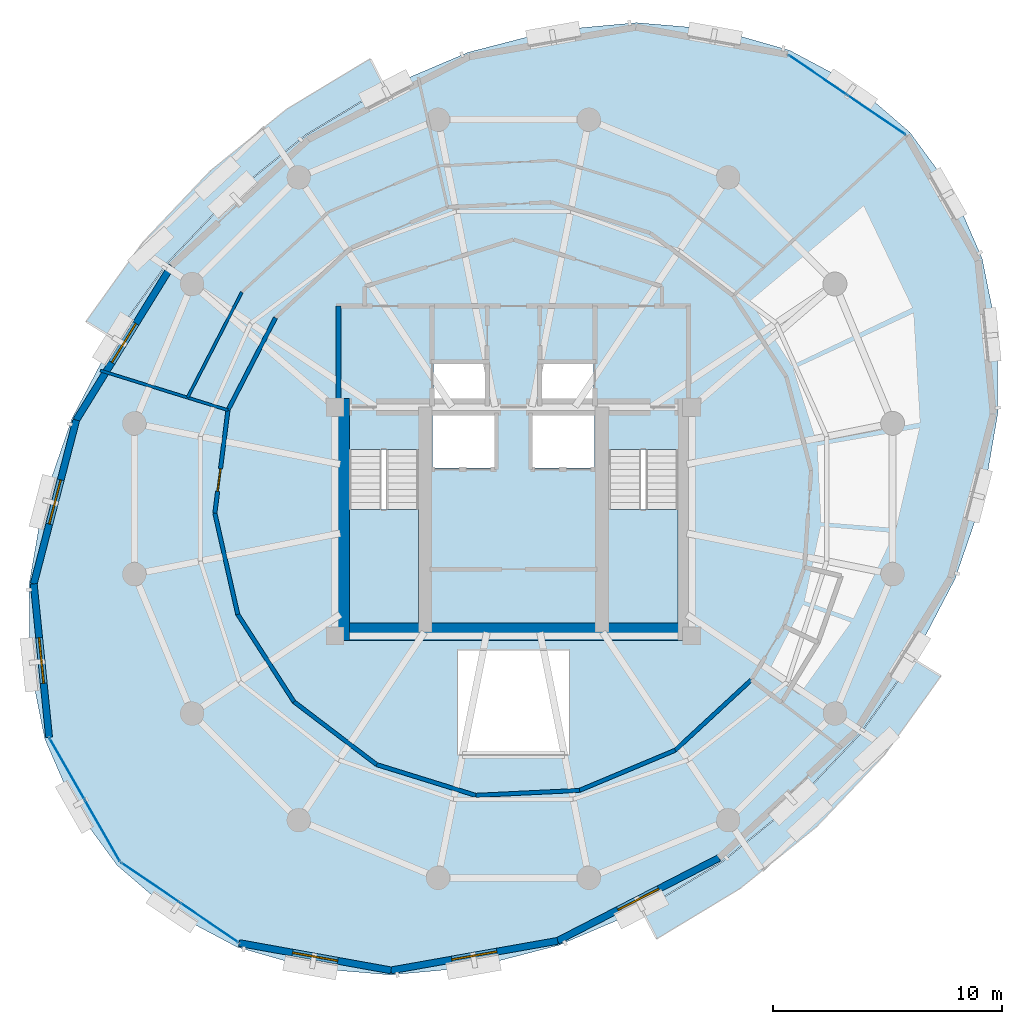
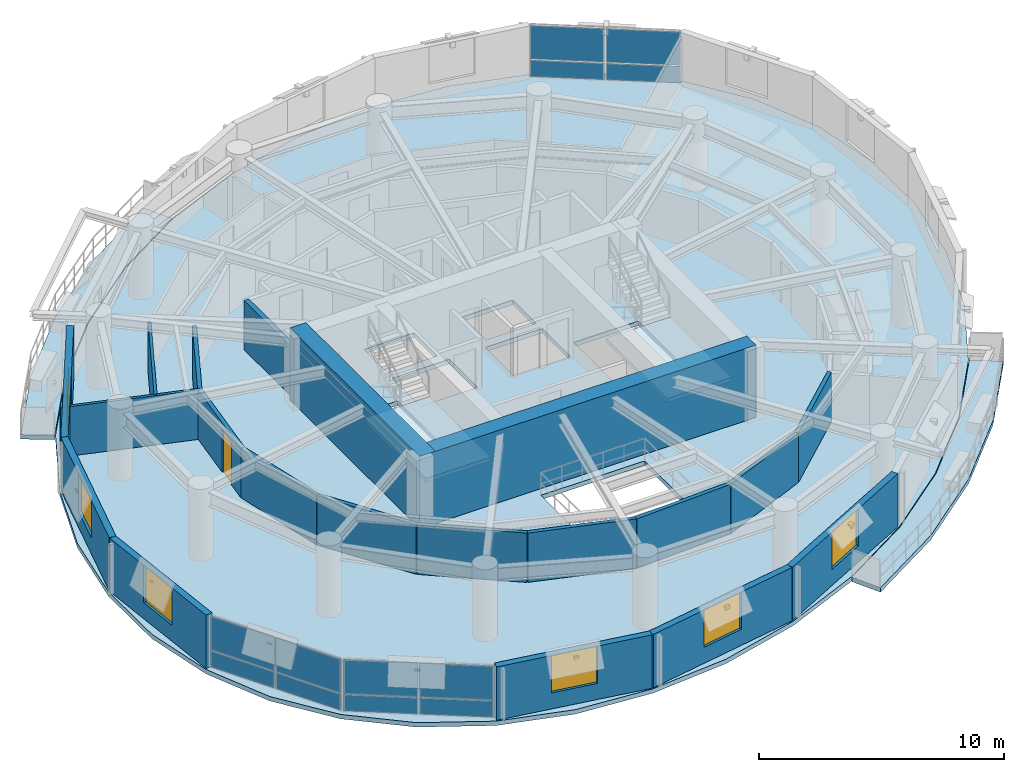
# One storey, part 7 of 12: 20 walls, 12 plates, 6 windows, 5 slabs, 1 door, 7 openings, 5 elements without a shape of their own.
"""IFC4 building model written with IfcOpenShell, lengths in metres."""

from ifc_helpers import new_model, si_unit, direction, frame, frame_2d, origin, origin_2d, place, context, subcontext, project, spatial, polyline, rectangle, outline, extrude, material, layer, layer_set, type_object, element, fill, aggregate, save


model = new_model("IFC4")

# Units and contexts
model_context = context("Model", 3, precision=1e-05, world=origin(), true_north=direction((0.0, 1.0)))
body_context = subcontext(model_context, "Body", "Model", "MODEL_VIEW")
ifc_project = project(units=[si_unit("LENGTHUNIT", "METRE"), si_unit("AREAUNIT", "SQUARE_METRE"), si_unit("VOLUMEUNIT", "CUBIC_METRE"), si_unit("PLANEANGLEUNIT", "RADIAN"), si_unit("MASSUNIT", "GRAM", prefix="KILO"), si_unit("THERMODYNAMICTEMPERATUREUNIT", "KELVIN"), si_unit("POWERUNIT", "WATT")], contexts=[model_context])

# Site, building, storey
site_placement = place(None, origin())
site = spatial("IfcSite", under=ifc_project, at=site_placement, CompositionType="ELEMENT")
building_placement = place(site_placement, origin())
building = spatial("IfcBuilding", under=site, at=building_placement, Name="Ocrelia Relay Tower", CompositionType="ELEMENT")
storey_placement = place(building_placement, frame((0.0, 0.0, 209.60009765625)))
storey = spatial("IfcBuildingStorey", under=building, at=storey_placement, Name="L51", CompositionType="ELEMENT", Elevation=209.60009765625)

# Curtain wall, plates
ifc_material_1 = material(Name="Aluminium and solar-control low-E glass", Category="aluminium")
ifc_layer_1 = layer(ifc_material_1, 0.179931640625, Name="Aluminium and solar-control low-E glass")
ifc_layer_set_1 = layer_set([ifc_layer_1], Name="Aluminium and solar-control low-E glass")
curtain_wall_type = type_object("IfcCurtainWallType", Name="CW-SYS-Z3-CLOU", PredefinedType="NOTDEFINED", material=ifc_layer_set_1)
curtain_wall_1_placement = place(storey_placement, origin())
curtain_wall_1 = element("IfcCurtainWall", 1, at=curtain_wall_1_placement, inside=storey, type_object=curtain_wall_type, Name="L51 Elliptical Tower Curtain Wall Bay 01", PredefinedType="NOTDEFINED")
ifc_material_2 = material(Name="Clear double-glazed low-E glass", Category="glass")
ifc_layer_2 = layer(ifc_material_2, 0.031982421875, Name="Clear double-glazed low-E glass")
ifc_layer_set_2 = layer_set([ifc_layer_2], Name="Clear double-glazed low-E glass")
plate_type = type_object("IfcPlateType", Name="CW-SYS-Z3-CLOU-PNL", PredefinedType="CURTAIN_PANEL", material=ifc_layer_set_2)
plate_1_placement = place(storey_placement, frame((49.87158203125, 42.777587890625, 0.059814453125), z_axis=(0.0, 0.0, 1.0), x_axis=(-0.826390290705, 0.563097760098, 0.0)))
plate_1 = element("IfcPlate", 2, at=plate_1_placement, type_object=plate_type, Name="CW-Z3 panel 1.1", PredefinedType="CURTAIN_PANEL", context=body_context, shape_type="SweptSolid", body=[
    extrude(rectangle(XDim=3.0439453125, YDim=0.031982421875, at=origin_2d()), origin(), (0.0, 0.0, 1.0), 0.81005859375),
])
plate_2_placement = place(storey_placement, frame((49.87158203125, 42.777587890625, 0.929931640625), z_axis=(0.0, 0.0, 1.0), x_axis=(-0.826390290705, 0.563097760098, 0.0)))
plate_2 = element("IfcPlate", 3, at=plate_2_placement, type_object=plate_type, Name="CW-Z3 panel 1.2", PredefinedType="CURTAIN_PANEL", context=body_context, shape_type="SweptSolid", body=[
    extrude(rectangle(XDim=3.0439453125, YDim=0.031982421875, at=origin_2d()), origin(), (0.0, 0.0, 1.0), 1.669921875),
])
plate_3_placement = place(storey_placement, frame((47.302490234375, 44.528076171875, 0.059814453125), z_axis=(0.0, 0.0, 1.0), x_axis=(-0.826390290705, 0.563097760098, 0.0)))
plate_3 = element("IfcPlate", 4, at=plate_3_placement, type_object=plate_type, Name="CW-Z3 panel 2.1", PredefinedType="CURTAIN_PANEL", context=body_context, shape_type="SweptSolid", body=[
    extrude(rectangle(XDim=3.0439453125, YDim=0.031982421875, at=origin_2d()), origin(), (0.0, 0.0, 1.0), 0.81005859375),
])
plate_4_placement = place(storey_placement, frame((47.302490234375, 44.528076171875, 0.929931640625), z_axis=(0.0, 0.0, 1.0), x_axis=(-0.826390290705, 0.563097760098, 0.0)))
plate_4 = element("IfcPlate", 5, at=plate_4_placement, type_object=plate_type, Name="CW-Z3 panel 2.2", PredefinedType="CURTAIN_PANEL", context=body_context, shape_type="SweptSolid", body=[
    extrude(rectangle(XDim=3.0439453125, YDim=0.031982421875, at=origin_2d()), origin(), (0.0, 0.0, 1.0), 1.669921875),
])
aggregate(curtain_wall_1, [plate_1, plate_2, plate_3, plate_4])

curtain_wall_2_placement = place(storey_placement, origin())
curtain_wall_2 = element("IfcCurtainWall", 6, at=curtain_wall_2_placement, inside=storey, type_object=curtain_wall_type, Name="L51 Elliptical Tower Curtain Wall Bay 09", PredefinedType="NOTDEFINED")
plate_5_placement = place(storey_placement, frame((14.4853515625, 14.192138671875, 0.059814453125), z_axis=(0.0, 0.0, 1.0), x_axis=(0.496524565709, -0.868022670008, 0.0)))
plate_5 = element("IfcPlate", 7, at=plate_5_placement, type_object=plate_type, Name="CW-Z3 panel 1.1", PredefinedType="CURTAIN_PANEL", context=body_context, shape_type="SweptSolid", body=[
    extrude(rectangle(XDim=3.0439453125, YDim=0.031982421875, at=origin_2d()), origin(), (0.0, 0.0, 1.0), 0.81005859375),
])
plate_6_placement = place(storey_placement, frame((14.4853515625, 14.192138671875, 0.929931640625), z_axis=(0.0, 0.0, 1.0), x_axis=(0.496524565709, -0.868022670008, 0.0)))
plate_6 = element("IfcPlate", 8, at=plate_6_placement, type_object=plate_type, Name="CW-Z3 panel 1.2", PredefinedType="CURTAIN_PANEL", context=body_context, shape_type="SweptSolid", body=[
    extrude(rectangle(XDim=3.0439453125, YDim=0.031982421875, at=origin_2d()), origin(), (0.0, 0.0, 1.0), 1.669921875),
])
plate_7_placement = place(storey_placement, frame((16.029052734375, 11.49365234375, 0.059814453125), z_axis=(0.0, 0.0, 1.0), x_axis=(0.496524565709, -0.868022670008, 0.0)))
plate_7 = element("IfcPlate", 9, at=plate_7_placement, type_object=plate_type, Name="CW-Z3 panel 2.1", PredefinedType="CURTAIN_PANEL", context=body_context, shape_type="SweptSolid", body=[
    extrude(rectangle(XDim=3.0439453125, YDim=0.031982421875, at=origin_2d()), origin(), (0.0, 0.0, 1.0), 0.81005859375),
])
plate_8_placement = place(storey_placement, frame((16.029052734375, 11.49365234375, 0.929931640625), z_axis=(0.0, 0.0, 1.0), x_axis=(0.496524565709, -0.868022670008, 0.0)))
plate_8 = element("IfcPlate", 10, at=plate_8_placement, type_object=plate_type, Name="CW-Z3 panel 2.2", PredefinedType="CURTAIN_PANEL", context=body_context, shape_type="SweptSolid", body=[
    extrude(rectangle(XDim=3.0439453125, YDim=0.031982421875, at=origin_2d()), origin(), (0.0, 0.0, 1.0), 1.669921875),
])
aggregate(curtain_wall_2, [plate_5, plate_6, plate_7, plate_8])

curtain_wall_3_placement = place(storey_placement, origin())
curtain_wall_3 = element("IfcCurtainWall", 11, at=curtain_wall_3_placement, inside=storey, type_object=curtain_wall_type, Name="L51 Elliptical Tower Curtain Wall Bay 10", PredefinedType="NOTDEFINED")
plate_9_placement = place(storey_placement, frame((18.12841796875, 9.222412109375, 0.059814453125), z_axis=(0.0, 0.0, 1.0), x_axis=(0.826390290705, -0.563097760098, 0.0)))
plate_9 = element("IfcPlate", 12, at=plate_9_placement, type_object=plate_type, Name="CW-Z3 panel 1.1", PredefinedType="CURTAIN_PANEL", context=body_context, shape_type="SweptSolid", body=[
    extrude(rectangle(XDim=3.0439453125, YDim=0.031982421875, at=origin_2d()), origin(), (0.0, 0.0, 1.0), 0.81005859375),
])
plate_10_placement = place(storey_placement, frame((18.12841796875, 9.222412109375, 0.929931640625), z_axis=(0.0, 0.0, 1.0), x_axis=(0.826390290705, -0.563097760098, 0.0)))
plate_10 = element("IfcPlate", 13, at=plate_10_placement, type_object=plate_type, Name="CW-Z3 panel 1.2", PredefinedType="CURTAIN_PANEL", context=body_context, shape_type="SweptSolid", body=[
    extrude(rectangle(XDim=3.0439453125, YDim=0.031982421875, at=origin_2d()), origin(), (0.0, 0.0, 1.0), 1.669921875),
])
plate_11_placement = place(storey_placement, frame((20.697509765625, 7.471923828125, 0.059814453125), z_axis=(0.0, 0.0, 1.0), x_axis=(0.826390290705, -0.563097760098, 0.0)))
plate_11 = element("IfcPlate", 14, at=plate_11_placement, type_object=plate_type, Name="CW-Z3 panel 2.1", PredefinedType="CURTAIN_PANEL", context=body_context, shape_type="SweptSolid", body=[
    extrude(rectangle(XDim=3.0439453125, YDim=0.031982421875, at=origin_2d()), origin(), (0.0, 0.0, 1.0), 0.81005859375),
])
plate_12_placement = place(storey_placement, frame((20.697509765625, 7.471923828125, 0.929931640625), z_axis=(0.0, 0.0, 1.0), x_axis=(0.826390290705, -0.563097760098, 0.0)))
plate_12 = element("IfcPlate", 15, at=plate_12_placement, type_object=plate_type, Name="CW-Z3 panel 2.2", PredefinedType="CURTAIN_PANEL", context=body_context, shape_type="SweptSolid", body=[
    extrude(rectangle(XDim=3.0439453125, YDim=0.031982421875, at=origin_2d()), origin(), (0.0, 0.0, 1.0), 1.669921875),
])
aggregate(curtain_wall_3, [plate_9, plate_10, plate_11, plate_12])

# Slabs
ifc_material_3 = material(Name="Precast concrete C40/50", Category="concrete")
ifc_layer_3 = layer(ifc_material_3, 0.219970703125, Name="Precast concrete C40/50")
ifc_layer_set_3 = layer_set([ifc_layer_3], Name="Precast concrete C40/50")
slab_type_1 = type_object("IfcSlabType", Name="SL-BALC-220", PredefinedType="FLOOR", material=ifc_layer_set_3)
slab_1_placement = place(storey_placement, frame((0.0, 0.0, -0.22021484375)))
element("IfcSlab", 16, at=slab_1_placement, inside=storey, type_object=slab_type_1, Name="L51 Planted Loggia Balcony B1", PredefinedType="FLOOR", context=body_context, shape_type="SweptSolid", body=[
    extrude(outline(polyline([(28.3681640625, 43.99560546875), (26.63037109375, 42.945556640625), (24.892333984375, 41.895751953125), (21.693359375, 39.313232421875), (18.867919921875, 36.32666015625), (17.684814453125, 34.676513671875), (16.501708984375, 33.0263671875), (15.31494140625, 33.756591796875), (16.55419921875, 35.48486328125), (17.793212890625, 37.21337890625), (20.74755859375, 40.336181640625), (24.093017578125, 43.03662109375), (25.9130859375, 44.13623046875), (27.7333984375, 45.23583984375), (28.3681640625, 43.99560546875)])), origin(), (0.0, 0.0, 1.0), 0.22021484375),
])
slab_2_placement = place(storey_placement, frame((0.0, 0.0, -0.22021484375)))
element("IfcSlab", 17, at=slab_2_placement, inside=storey, type_object=slab_type_1, Name="L51 Planted Loggia Balcony B2", PredefinedType="FLOOR", context=body_context, shape_type="SweptSolid", body=[
    extrude(outline(polyline([(39.6318359375, 8.00439453125), (41.36962890625, 9.054443359375), (43.107666015625, 10.104248046875), (46.306640625, 12.686767578125), (49.132080078125, 15.67333984375), (50.315185546875, 17.323486328125), (51.498291015625, 18.9736328125), (52.68505859375, 18.243408203125), (51.44580078125, 16.51513671875), (50.206787109375, 14.78662109375), (47.25244140625, 11.663818359375), (43.906982421875, 8.96337890625), (42.0869140625, 7.86376953125), (40.2666015625, 6.76416015625), (39.6318359375, 8.00439453125)])), origin(), (0.0, 0.0, 1.0), 0.22021484375),
])
ifc_material_4 = material(Name="Concrete C50/60", Category="concrete")
ifc_layer_4 = layer(ifc_material_4, 0.219970703125, Name="Concrete C50/60")
ifc_layer_set_4 = layer_set([ifc_layer_4], Name="Concrete C50/60")
slab_type_2 = type_object("IfcSlabType", Name="SL-FLR-220", PredefinedType="FLOOR", material=ifc_layer_set_4)
slab_3_placement = place(storey_placement, frame((0.0, 0.0, -0.22021484375)))
element("IfcSlab", 18, at=slab_3_placement, inside=storey, type_object=slab_type_2, Name="L51 Elliptical Tower Floor Slab", PredefinedType="FLOOR", context=body_context, shape_type="SweptSolid", body=[
    extrude(outline(polyline([(51.330078125, 42.019775390625), (48.93310546875, 44.084228515625), (46.082763671875, 45.599609375), (42.864990234375, 46.51904296875), (39.378173828125, 46.815185546875), (35.727783203125, 46.47900390625), (32.02490234375, 45.5205078125), (28.3818359375, 43.96875), (24.90966796875, 41.87109375), (21.713623046875, 39.291259765625), (18.89111328125, 36.3076171875), (16.52734375, 33.010498046875), (14.69482421875, 29.500732421875), (13.448486328125, 25.884521484375), (12.826904296875, 22.271484375), (12.8486328125, 18.772216796875), (13.512939453125, 15.4921875), (14.7998046875, 12.53173828125), (16.669921875, 9.980224609375), (19.06689453125, 7.915771484375), (21.917236328125, 6.400390625), (25.135009765625, 5.48095703125), (28.621826171875, 5.184814453125), (32.272216796875, 5.52099609375), (35.97509765625, 6.4794921875), (39.6181640625, 8.03125), (43.09033203125, 10.12890625), (46.286376953125, 12.708740234375), (49.10888671875, 15.6923828125), (51.47265625, 18.989501953125), (53.30517578125, 22.499267578125), (54.551513671875, 26.115478515625), (55.173095703125, 29.728515625), (55.1513671875, 33.227783203125), (54.487060546875, 36.5078125), (53.2001953125, 39.46826171875), (51.330078125, 42.019775390625)]), holes=[polyline([(26.81005859375, 28.14990234375), (26.81005859375, 20.550048828125), (29.85009765625, 20.550048828125), (29.85009765625, 28.14990234375), (26.81005859375, 28.14990234375)]), polyline([(38.159912109375, 28.14990234375), (38.159912109375, 20.550048828125), (41.199951171875, 20.550048828125), (41.199951171875, 28.14990234375), (38.159912109375, 28.14990234375)]), polyline([(30.4599609375, 27.35009765625), (33.159912109375, 27.35009765625), (33.159912109375, 29.64990234375), (30.4599609375, 29.64990234375), (30.4599609375, 27.35009765625)]), polyline([(34.840087890625, 27.35009765625), (37.5400390625, 27.35009765625), (37.5400390625, 29.64990234375), (34.840087890625, 29.64990234375), (34.840087890625, 27.35009765625)]), polyline([(30.5, 30.10009765625), (32.85009765625, 30.10009765625), (32.85009765625, 32.0), (30.5, 32.0), (30.5, 30.10009765625)]), polyline([(35.14990234375, 30.10009765625), (37.5, 30.10009765625), (37.5, 32.0), (35.14990234375, 32.0), (35.14990234375, 30.10009765625)]), polyline([(31.550048828125, 14.800048828125), (36.449951171875, 14.800048828125), (36.449951171875, 19.39990234375), (31.550048828125, 19.39990234375), (31.550048828125, 14.800048828125)])]), origin(), (0.0, 0.0, 1.0), 0.22021484375),
])

# Stair, slab
stair_type = type_object("IfcStairType", Name="ST-DL-1420-R180", PredefinedType="HALF_TURN_STAIR", material=ifc_material_4)
stair_1_placement = place(storey_placement, origin())
stair_1 = element("IfcStair", 19, at=stair_1_placement, inside=storey, type_object=stair_type, Name="L51 West Core Exit Stair ST1", PredefinedType="HALF_TURN_STAIR")
ifc_layer_5 = layer(ifc_material_4, 0.199951171875, Name="Concrete C50/60")
ifc_layer_set_5 = layer_set([ifc_layer_5], Name="Concrete C50/60")
slab_type_3 = type_object("IfcSlabType", Name="SL-LANDING-200", PredefinedType="LANDING", material=ifc_layer_set_5)
slab_4_placement = place(storey_placement, frame((0.0, 0.0, 1.599853515625)))
slab_4 = element("IfcSlab", 20, at=slab_4_placement, type_object=slab_type_3, Name="ST1 landing 1", PredefinedType="LANDING", context=body_context, shape_type="SweptSolid", body=[
    extrude(outline(polyline([(26.81005859375, 25.5400390625), (26.81005859375, 20.550048828125), (29.85009765625, 20.550048828125), (29.85009765625, 25.5400390625), (26.81005859375, 25.5400390625)])), origin(), (0.0, 0.0, 1.0), 0.199951171875),
])
aggregate(stair_1, [slab_4])

stair_2_placement = place(storey_placement, origin())
stair_2 = element("IfcStair", 21, at=stair_2_placement, inside=storey, type_object=stair_type, Name="L51 East Core Exit Stair ST2", PredefinedType="HALF_TURN_STAIR")
slab_5_placement = place(storey_placement, frame((0.0, 0.0, 1.599853515625)))
slab_5 = element("IfcSlab", 22, at=slab_5_placement, type_object=slab_type_3, Name="ST2 landing 1", PredefinedType="LANDING", context=body_context, shape_type="SweptSolid", body=[
    extrude(outline(polyline([(38.159912109375, 25.5400390625), (38.159912109375, 20.550048828125), (41.199951171875, 20.550048828125), (41.199951171875, 25.5400390625), (38.159912109375, 25.5400390625)])), origin(), (0.0, 0.0, 1.0), 0.199951171875),
])
aggregate(stair_2, [slab_5])

# Walls
ifc_material_5 = material(Name="Concrete C60/75", Category="concrete")
ifc_layer_6 = layer(ifc_material_5, 0.75, Name="Concrete C60/75")
ifc_layer_set_6 = layer_set([ifc_layer_6], Name="Concrete C60/75")
wall_type_1 = type_object("IfcWallType", Name="CW-CORE-750", PredefinedType="SHEAR", material=ifc_layer_set_6)
wall_1_placement = place(storey_placement, frame((26.072021484375, 20.18701171875, 0.0), z_axis=(0.0, 0.0, 1.0), x_axis=(1.0, 0.0, 0.0)))
element("IfcWall", 23, at=wall_1_placement, inside=storey, type_object=wall_type_1, Name="L51 Core Shear Wall S", PredefinedType="SHEAR", context=body_context, shape_type="SweptSolid", body=[
    extrude(rectangle(XDim=15.865966796875, YDim=0.75, at=frame_2d((7.93310546875, 0.0))), origin(), (0.0, 0.0, 1.0), 3.599853515625),
])
wall_2_placement = place(storey_placement, frame((26.447021484375, 19.81201171875, 0.0), z_axis=(0.0, 0.0, 1.0), x_axis=(0.0, 1.0, 0.0)))
element("IfcWall", 24, at=wall_2_placement, inside=storey, type_object=wall_type_1, Name="L51 Core Shear Wall W", PredefinedType="SHEAR", context=body_context, shape_type="SweptSolid", body=[
    extrude(rectangle(XDim=10.575927734375, YDim=0.75, at=frame_2d((5.2880859375, 0.0))), origin(), (0.0, 0.0, 1.0), 3.599853515625),
])
ifc_material_6 = material(Name="Gypsum Fireboard Partition EI60", Category="gypsum")
ifc_layer_7 = layer(ifc_material_6, 0.179931640625, Name="Gypsum Fireboard Partition EI60")
ifc_layer_set_7 = layer_set([ifc_layer_7], Name="Gypsum Fireboard Partition EI60")
wall_type_2 = type_object("IfcWallType", Name="W-CORR-EI60-180", PredefinedType="PARTITIONING", material=ifc_layer_set_7)
wall_3_placement = place(storey_placement, frame((23.59619140625, 33.9111328125, 0.0), z_axis=(0.0, 0.0, 1.0), x_axis=(-0.45787415336, -0.889017018782, 0.0)))
element("IfcWall", 25, at=wall_3_placement, inside=storey, type_object=wall_type_2, Name="L51 Client Arrival Foyer Corridor Partition 3", PredefinedType="PARTITIONING", context=body_context, shape_type="SweptSolid", body=[
    extrude(rectangle(XDim=4.5390625, YDim=0.179931640625, at=frame_2d((2.26953125, 0.0))), origin(), (0.0, 0.0, 1.0), 2.4599609375),
])

# Wall, opening, door
wall_4_placement = place(storey_placement, frame((21.517822265625, 29.875732421875, 0.0), z_axis=(0.0, 0.0, 1.0), x_axis=(-0.126179218501, -0.992007462078, 0.0)))
wall_4 = element("IfcWall", 26, at=wall_4_placement, inside=storey, type_object=wall_type_2, Name="L51 Partner Welcome Foyer Corridor Partition 1", PredefinedType="PARTITIONING", context=body_context, shape_type="SweptSolid", body=[
    extrude(rectangle(XDim=4.539306640625, YDim=0.179931640625, at=frame_2d((2.26953125, 0.0))), origin(), (0.0, 0.0, 1.0), 2.4599609375),
])
opening_1_placement = place(wall_4_placement, frame((2.579345703125, 0.0, 0.0)))
opening_1 = element("IfcOpeningElement", 27, at=opening_1_placement, cuts=wall_4, Name="Opening D-RM100", PredefinedType="OPENING", context=body_context, shape_type="SweptSolid", body=[
    extrude(rectangle(XDim=1.0, YDim=2.14990234375, at=frame_2d((0.5, 1.074951171875))), frame((0.0, 0.10009765625, 0.0), z_axis=(0.0, -1.0, 0.0), x_axis=(1.0, 0.0, 0.0)), (0.0, 0.0, 1.0), 0.199951171875),
])
ifc_material_7 = material(Name="Acoustic oak veneer fire door", Category="wood")
door_type = type_object("IfcDoorType", Name="DR-ROOM-FD60-1000", OperationType="NOTDEFINED", PredefinedType="DOOR", material=ifc_material_7)
door_placement = place(opening_1_placement, origin())
door = element("IfcDoor", 28, at=door_placement, inside=storey, type_object=door_type, Name="L51 Partner Welcome Foyer Entrance Door", OperationType="SINGLE_SWING_LEFT", OverallHeight=2.14990234375, OverallWidth=1.0, PredefinedType="DOOR", context=body_context, shape_type="SweptSolid", body=[
    extrude(rectangle(XDim=1.0, YDim=2.14990234375, at=frame_2d((0.5, 1.074951171875))), frame((0.0, 0.02490234375, 0.0), z_axis=(0.0, -1.0, 0.0), x_axis=(1.0, 0.0, 0.0)), (0.0, 0.0, 1.0), 0.050048828125),
])
fill(opening_1, door)

# Walls
wall_5_placement = place(storey_placement, frame((20.945068359375, 25.372802734375, 0.0), z_axis=(0.0, 0.0, 1.0), x_axis=(0.220693392917, -0.975343235135, 0.0)))
element("IfcWall", 29, at=wall_5_placement, inside=storey, type_object=wall_type_2, Name="L51 Partner Welcome Foyer Corridor Partition 2", PredefinedType="PARTITIONING", context=body_context, shape_type="SweptSolid", body=[
    extrude(rectangle(XDim=4.538818359375, YDim=0.179931640625, at=frame_2d((2.26953125, 0.0))), origin(), (0.0, 0.0, 1.0), 2.4599609375),
])
wall_6_placement = place(storey_placement, frame((21.94677734375, 20.94580078125, 0.0), z_axis=(0.0, 0.0, 1.0), x_axis=(0.540972326462, -0.841040392611, 0.0)))
element("IfcWall", 30, at=wall_6_placement, inside=storey, type_object=wall_type_2, Name="L51 Partner Welcome Foyer Corridor Partition 3", PredefinedType="PARTITIONING", context=body_context, shape_type="SweptSolid", body=[
    extrude(rectangle(XDim=4.5390625, YDim=0.179931640625, at=frame_2d((2.26953125, 0.0))), origin(), (0.0, 0.0, 1.0), 2.4599609375),
])
wall_7_placement = place(storey_placement, frame((24.40234375, 17.128173828125, 0.0), z_axis=(0.0, 0.0, 1.0), x_axis=(0.796006706309, -0.605287802216, 0.0)))
element("IfcWall", 31, at=wall_7_placement, inside=storey, type_object=wall_type_2, Name="L51 Partner Welcome Foyer Corridor Partition 4", PredefinedType="PARTITIONING", context=body_context, shape_type="SweptSolid", body=[
    extrude(rectangle(XDim=4.539306640625, YDim=0.179931640625, at=frame_2d((2.26953125, 0.0))), origin(), (0.0, 0.0, 1.0), 2.4599609375),
])
for number, where, z_axis, x_axis, name in (
    (32, (28.015625, 14.380615234375, 0.0), (0.0, 0.0, 1.0), (0.955010569333, -0.296571766124, 0.0), "L51 Partner Welcome Foyer Corridor Partition 5"),
    (33, (32.3505859375, 13.034423828125, 0.0), (0.0, 0.0, 1.0), (0.998848461484, 0.047976567102, 0.0), "L51 Partner Welcome Foyer Corridor Partition 6"),
):
    element("IfcWall", number, at=place(storey_placement, frame(where, z_axis=z_axis, x_axis=x_axis)), inside=storey, type_object=wall_type_2, Name=name, PredefinedType="PARTITIONING", context=body_context, shape_type="SweptSolid", body=[
        extrude(rectangle(XDim=4.5390625, YDim=0.179931640625, at=frame_2d((2.26953125, 0.0))), origin(), (0.0, 0.0, 1.0), 2.4599609375),
    ])
for number, where, z_axis, x_axis, name in (
    (34, (36.884521484375, 13.252197265625, 0.0), (0.0, 0.0, 1.0), (0.922199331886, 0.386714872055, 0.0), "L51 Partner Welcome Foyer Corridor Partition 7"),
    (35, (41.070556640625, 15.007568359375, 0.0), (0.0, 0.0, 1.0), (0.734314557322, 0.67880934798, 0.0), "L51 Partner Welcome Foyer Corridor Partition 8"),
):
    element("IfcWall", number, at=place(storey_placement, frame(where, z_axis=z_axis, x_axis=x_axis)), inside=storey, type_object=wall_type_2, Name=name, PredefinedType="PARTITIONING", context=body_context, shape_type="SweptSolid", body=[
        extrude(rectangle(XDim=4.539306640625, YDim=0.179931640625, at=frame_2d((2.26953125, 0.0))), origin(), (0.0, 0.0, 1.0), 2.4599609375),
    ])

# Wall, opening, window
ifc_material_8 = material(Name="Precast concrete C40/50 with oxide terracotta", Category="masonry")
ifc_layer_8 = layer(ifc_material_8, 0.300048828125, Name="Precast concrete C40/50 with oxide terracotta")
ifc_layer_set_8 = layer_set([ifc_layer_8], Name="Precast concrete C40/50 with oxide terracotta")
wall_type_3 = type_object("IfcWallType", Name="W-EXT-TERR-300", PredefinedType="SOLIDWALL", material=ifc_layer_set_8)
wall_8_placement = place(storey_placement, frame((19.05029296875, 36.1865234375, 0.0), z_axis=(0.0, 0.0, 1.0), x_axis=(-0.525351245348, -0.850885461746, 0.0)))
wall_8 = element("IfcWall", 36, at=wall_8_placement, inside=storey, type_object=wall_type_3, Name="L51 Oxide Terracotta Facade Wall 06", PredefinedType="SOLIDWALL", context=body_context, shape_type="SweptSolid", body=[
    extrude(rectangle(XDim=7.92724609375, YDim=0.300048828125, at=frame_2d((3.963623046875, 0.0))), origin(), (0.0, 0.0, 1.0), 2.659912109375),
])
opening_2_placement = place(wall_8_placement, frame((2.964111328125, 0.0, 0.800048828125)))
opening_2 = element("IfcOpeningElement", 37, at=opening_2_placement, cuts=wall_8, Name="Opening W-03", PredefinedType="OPENING", context=body_context, shape_type="SweptSolid", body=[
    extrude(rectangle(XDim=2.0, YDim=1.85009765625, at=frame_2d((1.0, 0.925048828125))), frame((0.0, 0.16015625, 0.0), z_axis=(0.0, -1.0, 0.0), x_axis=(1.0, 0.0, 0.0)), (0.0, 0.0, 1.0), 0.320068359375),
])
window_type = type_object("IfcWindowType", Name="WIN-Z3-2000x2200", PartitioningType="DOUBLE_PANEL_VERTICAL", PredefinedType="WINDOW", material=ifc_material_2)
window_1_placement = place(opening_2_placement, origin())
window_1 = element("IfcWindow", 38, at=window_1_placement, inside=storey, type_object=window_type, Name="L51 Facade Module Window 06", OverallHeight=1.85009765625, OverallWidth=2.0, PartitioningType="SINGLE_PANEL", PredefinedType="WINDOW", context=body_context, shape_type="SweptSolid", body=[
    extrude(rectangle(XDim=2.0, YDim=1.85009765625, at=frame_2d((1.0, 0.925048828125))), frame((0.0, 0.030029296875, 0.0), z_axis=(0.0, -1.0, 0.0), x_axis=(1.0, 0.0, 0.0)), (0.0, 0.0, 1.0), 0.06005859375),
])
fill(opening_2, window_1)

wall_9_placement = place(storey_placement, frame((14.8857421875, 29.44140625, 0.0), z_axis=(0.0, 0.0, 1.0), x_axis=(-0.251316052119, -0.967905078996, 0.0)))
wall_9 = element("IfcWall", 39, at=wall_9_placement, inside=storey, type_object=wall_type_3, Name="L51 Oxide Terracotta Facade Wall 07", PredefinedType="SOLIDWALL", context=body_context, shape_type="SweptSolid", body=[
    extrude(rectangle(XDim=7.3974609375, YDim=0.300048828125, at=frame_2d((3.69873046875, 0.0))), origin(), (0.0, 0.0, 1.0), 2.659912109375),
])
opening_3_placement = place(wall_9_placement, frame((2.698974609375, 0.0, 0.800048828125)))
opening_3 = element("IfcOpeningElement", 40, at=opening_3_placement, cuts=wall_9, Name="Opening W-03", PredefinedType="OPENING", context=body_context, shape_type="SweptSolid", body=[
    extrude(rectangle(XDim=2.0, YDim=1.85009765625, at=frame_2d((1.0, 0.925048828125))), frame((0.0, 0.16015625, 0.0), z_axis=(0.0, -1.0, 0.0), x_axis=(1.0, 0.0, 0.0)), (0.0, 0.0, 1.0), 0.320068359375),
])
window_2_placement = place(opening_3_placement, origin())
window_2 = element("IfcWindow", 41, at=window_2_placement, inside=storey, type_object=window_type, Name="L51 Facade Module Window 07", OverallHeight=1.85009765625, OverallWidth=2.0, PartitioningType="SINGLE_PANEL", PredefinedType="WINDOW", context=body_context, shape_type="SweptSolid", body=[
    extrude(rectangle(XDim=2.0, YDim=1.85009765625, at=frame_2d((1.0, 0.925048828125))), frame((0.0, 0.030029296875, 0.0), z_axis=(0.0, -1.0, 0.0), x_axis=(1.0, 0.0, 0.0)), (0.0, 0.0, 1.0), 0.06005859375),
])
fill(opening_3, window_2)

wall_10_placement = place(storey_placement, frame((13.026611328125, 22.28125, 0.0), z_axis=(0.0, 0.0, 1.0), x_axis=(0.099464298472, -0.995041131476, 0.0)))
wall_10 = element("IfcWall", 42, at=wall_10_placement, inside=storey, type_object=wall_type_3, Name="L51 Oxide Terracotta Facade Wall 08", PredefinedType="SOLIDWALL", context=body_context, shape_type="SweptSolid", body=[
    extrude(rectangle(XDim=6.7451171875, YDim=0.300048828125, at=frame_2d((3.37255859375, 0.0))), origin(), (0.0, 0.0, 1.0), 2.659912109375),
])
opening_4_placement = place(wall_10_placement, frame((2.373046875, 0.0, 0.800048828125)))
opening_4 = element("IfcOpeningElement", 43, at=opening_4_placement, cuts=wall_10, Name="Opening W-03", PredefinedType="OPENING", context=body_context, shape_type="SweptSolid", body=[
    extrude(rectangle(XDim=2.0, YDim=1.85009765625, at=frame_2d((1.0, 0.925048828125))), frame((0.0, 0.16015625, 0.0), z_axis=(0.0, -1.0, 0.0), x_axis=(1.0, 0.0, 0.0)), (0.0, 0.0, 1.0), 0.320068359375),
])
window_3_placement = place(opening_4_placement, origin())
window_3 = element("IfcWindow", 44, at=window_3_placement, inside=storey, type_object=window_type, Name="L51 Facade Module Window 08", OverallHeight=1.85009765625, OverallWidth=2.0, PartitioningType="SINGLE_PANEL", PredefinedType="WINDOW", context=body_context, shape_type="SweptSolid", body=[
    extrude(rectangle(XDim=2.0, YDim=1.85009765625, at=frame_2d((1.0, 0.925048828125))), frame((0.0, 0.030029296875, 0.0), z_axis=(0.0, -1.0, 0.0), x_axis=(1.0, 0.0, 0.0)), (0.0, 0.0, 1.0), 0.06005859375),
])
fill(opening_4, window_3)

wall_11_placement = place(storey_placement, frame((22.0087890625, 6.578369140625, 0.0), z_axis=(0.0, 0.0, 1.0), x_axis=(0.984179411135, -0.177174734931, 0.0)))
wall_11 = element("IfcWall", 45, at=wall_11_placement, inside=storey, type_object=wall_type_3, Name="L51 Oxide Terracotta Facade Wall 11", PredefinedType="SOLIDWALL", context=body_context, shape_type="SweptSolid", body=[
    extrude(rectangle(XDim=6.7451171875, YDim=0.300048828125, at=frame_2d((3.37255859375, 0.0))), origin(), (0.0, 0.0, 1.0), 2.659912109375),
])
opening_5_placement = place(wall_11_placement, frame((2.373046875, 0.0, 0.800048828125)))
opening_5 = element("IfcOpeningElement", 46, at=opening_5_placement, cuts=wall_11, Name="Opening W-03", PredefinedType="OPENING", context=body_context, shape_type="SweptSolid", body=[
    extrude(rectangle(XDim=2.0, YDim=1.85009765625, at=frame_2d((1.0, 0.925048828125))), frame((0.0, 0.16015625, 0.0), z_axis=(0.0, -1.0, 0.0), x_axis=(1.0, 0.0, 0.0)), (0.0, 0.0, 1.0), 0.320068359375),
])
window_4_placement = place(opening_5_placement, origin())
window_4 = element("IfcWindow", 47, at=window_4_placement, inside=storey, type_object=window_type, Name="L51 Facade Module Window 11", OverallHeight=1.85009765625, OverallWidth=2.0, PartitioningType="SINGLE_PANEL", PredefinedType="WINDOW", context=body_context, shape_type="SweptSolid", body=[
    extrude(rectangle(XDim=2.0, YDim=1.85009765625, at=frame_2d((1.0, 0.925048828125))), frame((0.0, 0.030029296875, 0.0), z_axis=(0.0, -1.0, 0.0), x_axis=(1.0, 0.0, 0.0)), (0.0, 0.0, 1.0), 0.06005859375),
])
fill(opening_5, window_4)

wall_12_placement = place(storey_placement, frame((28.647216796875, 5.38330078125, 0.0), z_axis=(0.0, 0.0, 1.0), x_axis=(0.984642029992, 0.17458543116, 0.0)))
wall_12 = element("IfcWall", 48, at=wall_12_placement, inside=storey, type_object=wall_type_3, Name="L51 Oxide Terracotta Facade Wall 12", PredefinedType="SOLIDWALL", context=body_context, shape_type="SweptSolid", body=[
    extrude(rectangle(XDim=7.3974609375, YDim=0.300048828125, at=frame_2d((3.69873046875, 0.0))), origin(), (0.0, 0.0, 1.0), 2.659912109375),
])
opening_6_placement = place(wall_12_placement, frame((2.698974609375, 0.0, 0.800048828125)))
opening_6 = element("IfcOpeningElement", 49, at=opening_6_placement, cuts=wall_12, Name="Opening W-03", PredefinedType="OPENING", context=body_context, shape_type="SweptSolid", body=[
    extrude(rectangle(XDim=2.0, YDim=1.85009765625, at=frame_2d((1.0, 0.925048828125))), frame((0.0, 0.16015625, 0.0), z_axis=(0.0, -1.0, 0.0), x_axis=(1.0, 0.0, 0.0)), (0.0, 0.0, 1.0), 0.320068359375),
])
window_5_placement = place(opening_6_placement, origin())
window_5 = element("IfcWindow", 50, at=window_5_placement, inside=storey, type_object=window_type, Name="L51 Facade Module Window 12", OverallHeight=1.85009765625, OverallWidth=2.0, PartitioningType="SINGLE_PANEL", PredefinedType="WINDOW", context=body_context, shape_type="SweptSolid", body=[
    extrude(rectangle(XDim=2.0, YDim=1.85009765625, at=frame_2d((1.0, 0.925048828125))), frame((0.0, 0.030029296875, 0.0), z_axis=(0.0, -1.0, 0.0), x_axis=(1.0, 0.0, 0.0)), (0.0, 0.0, 1.0), 0.06005859375),
])
fill(opening_6, window_5)

wall_13_placement = place(storey_placement, frame((35.93115234375, 6.6748046875, 0.0), z_axis=(0.0, 0.0, 1.0), x_axis=(0.889489208074, 0.456956178117, 0.0)))
wall_13 = element("IfcWall", 51, at=wall_13_placement, inside=storey, type_object=wall_type_3, Name="L51 Oxide Terracotta Facade Wall 13", PredefinedType="SOLIDWALL", context=body_context, shape_type="SweptSolid", body=[
    extrude(rectangle(XDim=7.927001953125, YDim=0.300048828125, at=frame_2d((3.96337890625, 0.0))), origin(), (0.0, 0.0, 1.0), 2.659912109375),
])
opening_7_placement = place(wall_13_placement, frame((2.964111328125, 0.0, 0.800048828125)))
opening_7 = element("IfcOpeningElement", 52, at=opening_7_placement, cuts=wall_13, Name="Opening W-03", PredefinedType="OPENING", context=body_context, shape_type="SweptSolid", body=[
    extrude(rectangle(XDim=2.0, YDim=1.85009765625, at=frame_2d((1.0, 0.925048828125))), frame((0.0, 0.16015625, 0.0), z_axis=(0.0, -1.0, 0.0), x_axis=(1.0, 0.0, 0.0)), (0.0, 0.0, 1.0), 0.320068359375),
])
window_6_placement = place(opening_7_placement, origin())
window_6 = element("IfcWindow", 53, at=window_6_placement, inside=storey, type_object=window_type, Name="L51 Facade Module Window 13", OverallHeight=1.85009765625, OverallWidth=2.0, PartitioningType="SINGLE_PANEL", PredefinedType="WINDOW", context=body_context, shape_type="SweptSolid", body=[
    extrude(rectangle(XDim=2.0, YDim=1.85009765625, at=frame_2d((1.0, 0.925048828125))), frame((0.0, 0.030029296875, 0.0), z_axis=(0.0, -1.0, 0.0), x_axis=(1.0, 0.0, 0.0)), (0.0, 0.0, 1.0), 0.06005859375),
])
fill(opening_7, window_6)

# Walls
ifc_layer_9 = layer(ifc_material_4, 0.219970703125, Name="Concrete C50/60")
ifc_layer_set_9 = layer_set([ifc_layer_9], Name="Concrete C50/60")
wall_type_4 = type_object("IfcWallType", Name="W-FFL-EI120-220", PredefinedType="SOLIDWALL", material=ifc_layer_set_9)
wall_14_placement = place(storey_placement, frame((26.35009765625, 30.050048828125, 0.0), z_axis=(0.0, 0.0, 1.0), x_axis=(0.0, 1.0, 0.0)))
element("IfcWall", 54, at=wall_14_placement, inside=storey, type_object=wall_type_4, Name="L51 W Fire Service Lift Lobby West Wall", PredefinedType="SOLIDWALL", context=body_context, shape_type="SweptSolid", body=[
    extrude(rectangle(XDim=4.3798828125, YDim=0.219970703125, at=frame_2d((2.18994140625, 0.0))), origin(), (0.0, 0.0, 1.0), 2.4599609375),
])
ifc_material_9 = material(Name="Acoustic Fireboard Partition EI60", Category="gypsum")
ifc_layer_10 = layer(ifc_material_9, 0.125, Name="Acoustic Fireboard Partition EI60")
ifc_layer_set_10 = layer_set([ifc_layer_10], Name="Acoustic Fireboard Partition EI60")
wall_type_5 = type_object("IfcWallType", Name="W-PART-125", PredefinedType="PARTITIONING", material=ifc_layer_set_10)
wall_15_placement = place(storey_placement, frame((21.517822265625, 29.875732421875, 0.0), z_axis=(0.0, 0.0, 1.0), x_axis=(-0.955021667387, 0.296536026179, 0.0)))
element("IfcWall", 55, at=wall_15_placement, inside=storey, type_object=wall_type_5, Name="L51 Client Arrival Foyer Radial Partition", PredefinedType="PARTITIONING", context=body_context, shape_type="SweptSolid", body=[
    extrude(rectangle(XDim=5.837158203125, YDim=0.125, at=frame_2d((2.91845703125, 0.0))), origin(), (0.0, 0.0, 1.0), 2.4599609375),
])
wall_16_placement = place(storey_placement, frame((22.123779296875, 35.031005859375, 0.0), z_axis=(0.0, 0.0, 1.0), x_axis=(-0.457867451054, -0.889020470667, 0.0)))
element("IfcWall", 56, at=wall_16_placement, inside=storey, type_object=wall_type_5, Name="L51 Perimeter Client Arrival Foyer Mid-Ring Partition 3", PredefinedType="PARTITIONING", context=body_context, shape_type="SweptSolid", body=[
    extrude(rectangle(XDim=5.181640625, YDim=0.125, at=frame_2d((2.5908203125, 0.0))), origin(), (0.0, 0.0, 1.0), 2.4599609375),
])

save(model, "model.ifc")
